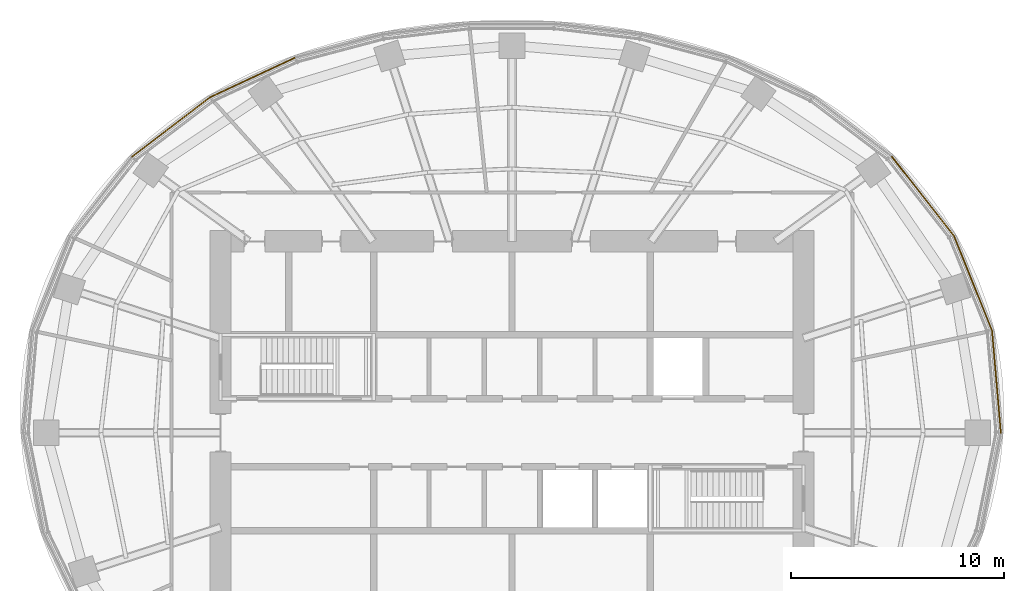
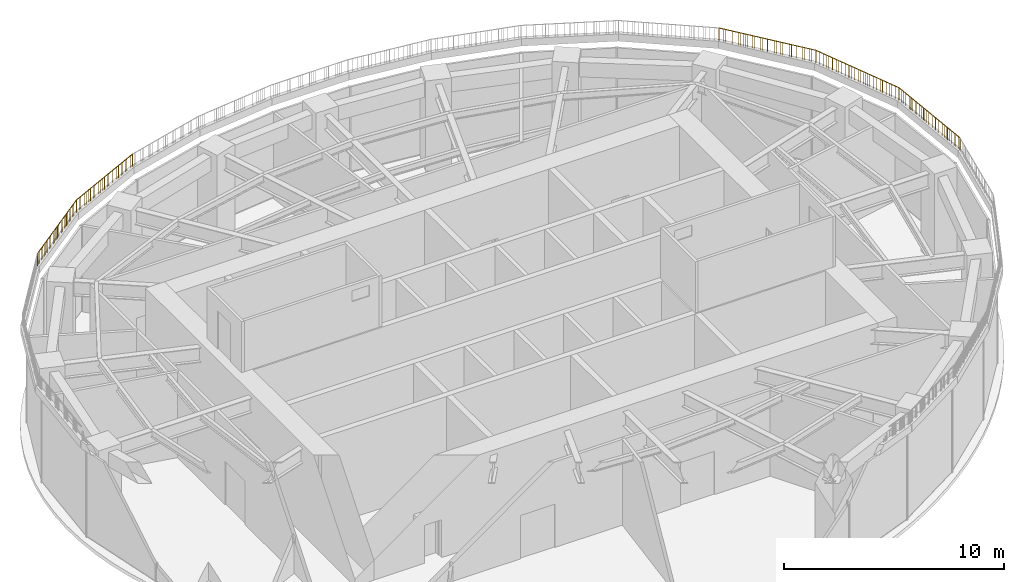
# One storey, part 17 of 19: 5 railings.
"""IFC4 building model written with IfcOpenShell, lengths in metres."""

from ifc_helpers import new_model, si_unit, direction, frame, origin, origin_2d, place, context, subcontext, project, spatial, circle, extrude, material, type_object, element, save


model = new_model("IFC4")

# Units and contexts
model_context = context("Model", 3, precision=1e-05, world=origin(), true_north=direction((0.0, 1.0)))
body_context = subcontext(model_context, "Body", "Model", "MODEL_VIEW")
ifc_project = project(units=[si_unit("LENGTHUNIT", "METRE"), si_unit("AREAUNIT", "SQUARE_METRE"), si_unit("VOLUMEUNIT", "CUBIC_METRE"), si_unit("PLANEANGLEUNIT", "RADIAN"), si_unit("MASSUNIT", "GRAM", prefix="KILO")], contexts=[model_context])

# Site, building, storey
site_placement = place(None, origin())
site = spatial("IfcSite", under=ifc_project, at=site_placement, CompositionType="ELEMENT")
building_placement = place(site_placement, origin())
building = spatial("IfcBuilding", under=site, at=building_placement, Name="Marramba Exchange Tower", CompositionType="ELEMENT")
storey_placement = place(building_placement, frame((0.0, 0.0, 277.0)))
storey = spatial("IfcBuildingStorey", under=building, at=storey_placement, Name="L67", CompositionType="ELEMENT", Elevation=277.0)

# Railings
ifc_material = material(Name="Galvanised steel guardrail", Category="steel")
railing_type = type_object("IfcRailingType", Name="Roof guardrail 1100", PredefinedType="GUARDRAIL", material=ifc_material)
railing_1_placement = place(storey_placement, frame((22.97998046875, 0.0, 5.39990234375)))
element("IfcRailing", 1, at=railing_1_placement, inside=storey, type_object=railing_type, Name="Roof guard Roof crown F01", PredefinedType="GUARDRAIL", context=body_context, shape_type="SweptSolid", body=[
    extrude(circle(Radius=0.02392578125, at=origin_2d()), frame((0.0, 0.0, 0.67578125), z_axis=(-0.085747752545, 0.996316878776, 0.0), x_axis=(-0.996316878776, -0.085747752545, 0.0)), (0.0, 0.0, 1.0), 4.814697265625),
    extrude(circle(Radius=0.02099609375, at=origin_2d()), origin(), (0.0, 0.0, 1.0), 0.65185546875),
    extrude(circle(Radius=0.02099609375, at=origin_2d()), frame((-0.08251953125, 0.95947265625, 0.0)), (0.0, 0.0, 1.0), 0.65185546875),
    extrude(circle(Radius=0.02099609375, at=origin_2d()), frame((-0.1650390625, 1.918701171875, 0.0)), (0.0, 0.0, 1.0), 0.65185546875),
    extrude(circle(Radius=0.02099609375, at=origin_2d()), frame((-0.247802734375, 2.878173828125, 0.0)), (0.0, 0.0, 1.0), 0.65185546875),
    extrude(circle(Radius=0.02099609375, at=origin_2d()), frame((-0.330322265625, 3.83740234375, 0.0)), (0.0, 0.0, 1.0), 0.65185546875),
    extrude(circle(Radius=0.02099609375, at=origin_2d()), frame((-0.412841796875, 4.796875, 0.0)), (0.0, 0.0, 1.0), 0.65185546875),
    extrude(circle(Radius=0.006103515625, at=origin_2d()), frame((-0.01025390625, 0.1181640625, 0.0)), (0.0, 0.0, 1.0), 0.65185546875),
    extrude(circle(Radius=0.006103515625, at=origin_2d()), frame((-0.01904296875, 0.221435546875, 0.0)), (0.0, 0.0, 1.0), 0.65185546875),
    extrude(circle(Radius=0.006103515625, at=origin_2d()), frame((-0.02783203125, 0.32470703125, 0.0)), (0.0, 0.0, 1.0), 0.65185546875),
    extrude(circle(Radius=0.006103515625, at=origin_2d()), frame((-0.036865234375, 0.427978515625, 0.0)), (0.0, 0.0, 1.0), 0.65185546875),
    extrude(circle(Radius=0.006103515625, at=origin_2d()), frame((-0.045654296875, 0.53125, 0.0)), (0.0, 0.0, 1.0), 0.65185546875),
    extrude(circle(Radius=0.006103515625, at=origin_2d()), frame((-0.0546875, 0.634521484375, 0.0)), (0.0, 0.0, 1.0), 0.65185546875),
    extrude(circle(Radius=0.006103515625, at=origin_2d()), frame((-0.0634765625, 0.73779296875, 0.0)), (0.0, 0.0, 1.0), 0.65185546875),
    extrude(circle(Radius=0.006103515625, at=origin_2d()), frame((-0.072509765625, 0.841064453125, 0.0)), (0.0, 0.0, 1.0), 0.65185546875),
    extrude(circle(Radius=0.006103515625, at=origin_2d()), frame((-0.0927734375, 1.07763671875, 0.0)), (0.0, 0.0, 1.0), 0.65185546875),
    extrude(circle(Radius=0.006103515625, at=origin_2d()), frame((-0.1015625, 1.180908203125, 0.0)), (0.0, 0.0, 1.0), 0.65185546875),
    extrude(circle(Radius=0.006103515625, at=origin_2d()), frame((-0.110595703125, 1.2841796875, 0.0)), (0.0, 0.0, 1.0), 0.65185546875),
    extrude(circle(Radius=0.006103515625, at=origin_2d()), frame((-0.119384765625, 1.387451171875, 0.0)), (0.0, 0.0, 1.0), 0.65185546875),
    extrude(circle(Radius=0.006103515625, at=origin_2d()), frame((-0.12841796875, 1.49072265625, 0.0)), (0.0, 0.0, 1.0), 0.65185546875),
    extrude(circle(Radius=0.006103515625, at=origin_2d()), frame((-0.13720703125, 1.593994140625, 0.0)), (0.0, 0.0, 1.0), 0.65185546875),
    extrude(circle(Radius=0.006103515625, at=origin_2d()), frame((-0.14599609375, 1.697265625, 0.0)), (0.0, 0.0, 1.0), 0.65185546875),
    extrude(circle(Radius=0.006103515625, at=origin_2d()), frame((-0.155029296875, 1.800537109375, 0.0)), (0.0, 0.0, 1.0), 0.65185546875),
    extrude(circle(Radius=0.006103515625, at=origin_2d()), frame((-0.17529296875, 2.036865234375, 0.0)), (0.0, 0.0, 1.0), 0.65185546875),
    extrude(circle(Radius=0.006103515625, at=origin_2d()), frame((-0.18408203125, 2.14013671875, 0.0)), (0.0, 0.0, 1.0), 0.65185546875),
    extrude(circle(Radius=0.006103515625, at=origin_2d()), frame((-0.193115234375, 2.243408203125, 0.0)), (0.0, 0.0, 1.0), 0.65185546875),
    extrude(circle(Radius=0.006103515625, at=origin_2d()), frame((-0.201904296875, 2.3466796875, 0.0)), (0.0, 0.0, 1.0), 0.65185546875),
    extrude(circle(Radius=0.006103515625, at=origin_2d()), frame((-0.2109375, 2.4501953125, 0.0)), (0.0, 0.0, 1.0), 0.65185546875),
    extrude(circle(Radius=0.006103515625, at=origin_2d()), frame((-0.2197265625, 2.553466796875, 0.0)), (0.0, 0.0, 1.0), 0.65185546875),
    extrude(circle(Radius=0.006103515625, at=origin_2d()), frame((-0.228759765625, 2.65673828125, 0.0)), (0.0, 0.0, 1.0), 0.65185546875),
    extrude(circle(Radius=0.006103515625, at=origin_2d()), frame((-0.237548828125, 2.760009765625, 0.0)), (0.0, 0.0, 1.0), 0.65185546875),
    extrude(circle(Radius=0.006103515625, at=origin_2d()), frame((-0.2578125, 2.996337890625, 0.0)), (0.0, 0.0, 1.0), 0.65185546875),
    extrude(circle(Radius=0.006103515625, at=origin_2d()), frame((-0.266845703125, 3.099609375, 0.0)), (0.0, 0.0, 1.0), 0.65185546875),
    extrude(circle(Radius=0.006103515625, at=origin_2d()), frame((-0.275634765625, 3.202880859375, 0.0)), (0.0, 0.0, 1.0), 0.65185546875),
    extrude(circle(Radius=0.006103515625, at=origin_2d()), frame((-0.284423828125, 3.30615234375, 0.0)), (0.0, 0.0, 1.0), 0.65185546875),
    extrude(circle(Radius=0.006103515625, at=origin_2d()), frame((-0.29345703125, 3.409423828125, 0.0)), (0.0, 0.0, 1.0), 0.65185546875),
    extrude(circle(Radius=0.006103515625, at=origin_2d()), frame((-0.30224609375, 3.5126953125, 0.0)), (0.0, 0.0, 1.0), 0.65185546875),
    extrude(circle(Radius=0.006103515625, at=origin_2d()), frame((-0.311279296875, 3.615966796875, 0.0)), (0.0, 0.0, 1.0), 0.65185546875),
    extrude(circle(Radius=0.006103515625, at=origin_2d()), frame((-0.320068359375, 3.71923828125, 0.0)), (0.0, 0.0, 1.0), 0.65185546875),
    extrude(circle(Radius=0.006103515625, at=origin_2d()), frame((-0.34033203125, 3.955810546875, 0.0)), (0.0, 0.0, 1.0), 0.65185546875),
    extrude(circle(Radius=0.006103515625, at=origin_2d()), frame((-0.349365234375, 4.05908203125, 0.0)), (0.0, 0.0, 1.0), 0.65185546875),
    extrude(circle(Radius=0.006103515625, at=origin_2d()), frame((-0.358154296875, 4.162353515625, 0.0)), (0.0, 0.0, 1.0), 0.65185546875),
    extrude(circle(Radius=0.006103515625, at=origin_2d()), frame((-0.3671875, 4.265625, 0.0)), (0.0, 0.0, 1.0), 0.65185546875),
    extrude(circle(Radius=0.006103515625, at=origin_2d()), frame((-0.3759765625, 4.368896484375, 0.0)), (0.0, 0.0, 1.0), 0.65185546875),
    extrude(circle(Radius=0.006103515625, at=origin_2d()), frame((-0.385009765625, 4.47216796875, 0.0)), (0.0, 0.0, 1.0), 0.65185546875),
    extrude(circle(Radius=0.006103515625, at=origin_2d()), frame((-0.393798828125, 4.575439453125, 0.0)), (0.0, 0.0, 1.0), 0.65185546875),
    extrude(circle(Radius=0.006103515625, at=origin_2d()), frame((-0.402587890625, 4.6787109375, 0.0)), (0.0, 0.0, 1.0), 0.65185546875),
])
railing_2_placement = place(storey_placement, frame((22.567138671875, 4.796875, 5.39990234375)))
element("IfcRailing", 2, at=railing_2_placement, inside=storey, type_object=railing_type, Name="Roof guard Roof crown F02", PredefinedType="GUARDRAIL", context=body_context, shape_type="SweptSolid", body=[
    extrude(circle(Radius=0.02392578125, at=origin_2d()), frame((0.0, 0.0, 0.67578125), z_axis=(-0.372363873994, 0.928086819939, 0.0), x_axis=(-0.928086819939, -0.372363873994, 0.0)), (0.0, 0.0, 1.0), 4.800048828125),
    extrude(circle(Radius=0.02099609375, at=origin_2d()), origin(), (0.0, 0.0, 1.0), 0.65185546875),
    extrude(circle(Radius=0.02099609375, at=origin_2d()), frame((-0.357421875, 0.890869140625, 0.0)), (0.0, 0.0, 1.0), 0.65185546875),
    extrude(circle(Radius=0.02099609375, at=origin_2d()), frame((-0.71484375, 1.781982421875, 0.0)), (0.0, 0.0, 1.0), 0.65185546875),
    extrude(circle(Radius=0.02099609375, at=origin_2d()), frame((-1.072509765625, 2.6728515625, 0.0)), (0.0, 0.0, 1.0), 0.65185546875),
    extrude(circle(Radius=0.02099609375, at=origin_2d()), frame((-1.429931640625, 3.56396484375, 0.0)), (0.0, 0.0, 1.0), 0.65185546875),
    extrude(circle(Radius=0.02099609375, at=origin_2d()), frame((-1.787353515625, 4.454833984375, 0.0)), (0.0, 0.0, 1.0), 0.65185546875),
    extrude(circle(Radius=0.006103515625, at=origin_2d()), frame((-0.0439453125, 0.10986328125, 0.0)), (0.0, 0.0, 1.0), 0.65185546875),
    extrude(circle(Radius=0.006103515625, at=origin_2d()), frame((-0.08251953125, 0.205810546875, 0.0)), (0.0, 0.0, 1.0), 0.65185546875),
    extrude(circle(Radius=0.006103515625, at=origin_2d()), frame((-0.12109375, 0.301513671875, 0.0)), (0.0, 0.0, 1.0), 0.65185546875),
    extrude(circle(Radius=0.006103515625, at=origin_2d()), frame((-0.159423828125, 0.3974609375, 0.0)), (0.0, 0.0, 1.0), 0.65185546875),
    extrude(circle(Radius=0.006103515625, at=origin_2d()), frame((-0.197998046875, 0.493408203125, 0.0)), (0.0, 0.0, 1.0), 0.65185546875),
    extrude(circle(Radius=0.006103515625, at=origin_2d()), frame((-0.236572265625, 0.58935546875, 0.0)), (0.0, 0.0, 1.0), 0.65185546875),
    extrude(circle(Radius=0.006103515625, at=origin_2d()), frame((-0.27490234375, 0.685302734375, 0.0)), (0.0, 0.0, 1.0), 0.65185546875),
    extrude(circle(Radius=0.006103515625, at=origin_2d()), frame((-0.3134765625, 0.78125, 0.0)), (0.0, 0.0, 1.0), 0.65185546875),
    extrude(circle(Radius=0.006103515625, at=origin_2d()), frame((-0.401611328125, 1.000732421875, 0.0)), (0.0, 0.0, 1.0), 0.65185546875),
    extrude(circle(Radius=0.006103515625, at=origin_2d()), frame((-0.43994140625, 1.0966796875, 0.0)), (0.0, 0.0, 1.0), 0.65185546875),
    extrude(circle(Radius=0.006103515625, at=origin_2d()), frame((-0.478515625, 1.192626953125, 0.0)), (0.0, 0.0, 1.0), 0.65185546875),
    extrude(circle(Radius=0.006103515625, at=origin_2d()), frame((-0.516845703125, 1.28857421875, 0.0)), (0.0, 0.0, 1.0), 0.65185546875),
    extrude(circle(Radius=0.006103515625, at=origin_2d()), frame((-0.555419921875, 1.384521484375, 0.0)), (0.0, 0.0, 1.0), 0.65185546875),
    extrude(circle(Radius=0.006103515625, at=origin_2d()), frame((-0.593994140625, 1.480224609375, 0.0)), (0.0, 0.0, 1.0), 0.65185546875),
    extrude(circle(Radius=0.006103515625, at=origin_2d()), frame((-0.63232421875, 1.576171875, 0.0)), (0.0, 0.0, 1.0), 0.65185546875),
    extrude(circle(Radius=0.006103515625, at=origin_2d()), frame((-0.6708984375, 1.672119140625, 0.0)), (0.0, 0.0, 1.0), 0.65185546875),
    extrude(circle(Radius=0.006103515625, at=origin_2d()), frame((-0.759033203125, 1.891845703125, 0.0)), (0.0, 0.0, 1.0), 0.65185546875),
    extrude(circle(Radius=0.006103515625, at=origin_2d()), frame((-0.79736328125, 1.987548828125, 0.0)), (0.0, 0.0, 1.0), 0.65185546875),
    extrude(circle(Radius=0.006103515625, at=origin_2d()), frame((-0.8359375, 2.08349609375, 0.0)), (0.0, 0.0, 1.0), 0.65185546875),
    extrude(circle(Radius=0.006103515625, at=origin_2d()), frame((-0.87451171875, 2.179443359375, 0.0)), (0.0, 0.0, 1.0), 0.65185546875),
    extrude(circle(Radius=0.006103515625, at=origin_2d()), frame((-0.912841796875, 2.275390625, 0.0)), (0.0, 0.0, 1.0), 0.65185546875),
    extrude(circle(Radius=0.006103515625, at=origin_2d()), frame((-0.951416015625, 2.371337890625, 0.0)), (0.0, 0.0, 1.0), 0.65185546875),
    extrude(circle(Radius=0.006103515625, at=origin_2d()), frame((-0.989990234375, 2.46728515625, 0.0)), (0.0, 0.0, 1.0), 0.65185546875),
    extrude(circle(Radius=0.006103515625, at=origin_2d()), frame((-1.0283203125, 2.56298828125, 0.0)), (0.0, 0.0, 1.0), 0.65185546875),
    extrude(circle(Radius=0.006103515625, at=origin_2d()), frame((-1.116455078125, 2.78271484375, 0.0)), (0.0, 0.0, 1.0), 0.65185546875),
    extrude(circle(Radius=0.006103515625, at=origin_2d()), frame((-1.155029296875, 2.878662109375, 0.0)), (0.0, 0.0, 1.0), 0.65185546875),
    extrude(circle(Radius=0.006103515625, at=origin_2d()), frame((-1.193359375, 2.974609375, 0.0)), (0.0, 0.0, 1.0), 0.65185546875),
    extrude(circle(Radius=0.006103515625, at=origin_2d()), frame((-1.23193359375, 3.0703125, 0.0)), (0.0, 0.0, 1.0), 0.65185546875),
    extrude(circle(Radius=0.006103515625, at=origin_2d()), frame((-1.2705078125, 3.166259765625, 0.0)), (0.0, 0.0, 1.0), 0.65185546875),
    extrude(circle(Radius=0.006103515625, at=origin_2d()), frame((-1.308837890625, 3.26220703125, 0.0)), (0.0, 0.0, 1.0), 0.65185546875),
    extrude(circle(Radius=0.006103515625, at=origin_2d()), frame((-1.347412109375, 3.358154296875, 0.0)), (0.0, 0.0, 1.0), 0.65185546875),
    extrude(circle(Radius=0.006103515625, at=origin_2d()), frame((-1.3857421875, 3.4541015625, 0.0)), (0.0, 0.0, 1.0), 0.65185546875),
    extrude(circle(Radius=0.006103515625, at=origin_2d()), frame((-1.473876953125, 3.673583984375, 0.0)), (0.0, 0.0, 1.0), 0.65185546875),
    extrude(circle(Radius=0.006103515625, at=origin_2d()), frame((-1.512451171875, 3.76953125, 0.0)), (0.0, 0.0, 1.0), 0.65185546875),
    extrude(circle(Radius=0.006103515625, at=origin_2d()), frame((-1.55078125, 3.865478515625, 0.0)), (0.0, 0.0, 1.0), 0.65185546875),
    extrude(circle(Radius=0.006103515625, at=origin_2d()), frame((-1.58935546875, 3.96142578125, 0.0)), (0.0, 0.0, 1.0), 0.65185546875),
    extrude(circle(Radius=0.006103515625, at=origin_2d()), frame((-1.6279296875, 4.057373046875, 0.0)), (0.0, 0.0, 1.0), 0.65185546875),
    extrude(circle(Radius=0.006103515625, at=origin_2d()), frame((-1.666259765625, 4.1533203125, 0.0)), (0.0, 0.0, 1.0), 0.65185546875),
    extrude(circle(Radius=0.006103515625, at=origin_2d()), frame((-1.704833984375, 4.2490234375, 0.0)), (0.0, 0.0, 1.0), 0.65185546875),
    extrude(circle(Radius=0.006103515625, at=origin_2d()), frame((-1.743408203125, 4.344970703125, 0.0)), (0.0, 0.0, 1.0), 0.65185546875),
])
railing_3_placement = place(storey_placement, frame((20.77978515625, 9.251708984375, 5.39990234375)))
element("IfcRailing", 3, at=railing_3_placement, inside=storey, type_object=railing_type, Name="Roof guard Roof crown F03", PredefinedType="GUARDRAIL", context=body_context, shape_type="SweptSolid", body=[
    extrude(circle(Radius=0.02392578125, at=origin_2d()), frame((0.0, 0.0, 0.67578125), z_axis=(-0.617103610012, 0.78688190633, 0.0), x_axis=(-0.78688190633, -0.617103610012, 0.0)), (0.0, 0.0, 1.0), 4.732421875),
    extrude(circle(Radius=0.02099609375, at=origin_2d()), origin(), (0.0, 0.0, 1.0), 0.65185546875),
    extrude(circle(Radius=0.02099609375, at=origin_2d()), frame((-0.72998046875, 0.930908203125, 0.0)), (0.0, 0.0, 1.0), 0.65185546875),
    extrude(circle(Radius=0.02099609375, at=origin_2d()), frame((-1.460205078125, 1.86181640625, 0.0)), (0.0, 0.0, 1.0), 0.65185546875),
    extrude(circle(Radius=0.02099609375, at=origin_2d()), frame((-2.1904296875, 2.79296875, 0.0)), (0.0, 0.0, 1.0), 0.65185546875),
    extrude(circle(Radius=0.02099609375, at=origin_2d()), frame((-2.92041015625, 3.723876953125, 0.0)), (0.0, 0.0, 1.0), 0.65185546875),
    extrude(circle(Radius=0.006103515625, at=origin_2d()), frame((-0.073974609375, 0.09423828125, 0.0)), (0.0, 0.0, 1.0), 0.65185546875),
    extrude(circle(Radius=0.006103515625, at=origin_2d()), frame((-0.138671875, 0.1767578125, 0.0)), (0.0, 0.0, 1.0), 0.65185546875),
    extrude(circle(Radius=0.006103515625, at=origin_2d()), frame((-0.203369140625, 0.25927734375, 0.0)), (0.0, 0.0, 1.0), 0.65185546875),
    extrude(circle(Radius=0.006103515625, at=origin_2d()), frame((-0.26806640625, 0.341796875, 0.0)), (0.0, 0.0, 1.0), 0.65185546875),
    extrude(circle(Radius=0.006103515625, at=origin_2d()), frame((-0.332763671875, 0.42431640625, 0.0)), (0.0, 0.0, 1.0), 0.65185546875),
    extrude(circle(Radius=0.006103515625, at=origin_2d()), frame((-0.3974609375, 0.5068359375, 0.0)), (0.0, 0.0, 1.0), 0.65185546875),
    extrude(circle(Radius=0.006103515625, at=origin_2d()), frame((-0.462158203125, 0.589111328125, 0.0)), (0.0, 0.0, 1.0), 0.65185546875),
    extrude(circle(Radius=0.006103515625, at=origin_2d()), frame((-0.52685546875, 0.671630859375, 0.0)), (0.0, 0.0, 1.0), 0.65185546875),
    extrude(circle(Radius=0.006103515625, at=origin_2d()), frame((-0.591552734375, 0.754150390625, 0.0)), (0.0, 0.0, 1.0), 0.65185546875),
    extrude(circle(Radius=0.006103515625, at=origin_2d()), frame((-0.65625, 0.836669921875, 0.0)), (0.0, 0.0, 1.0), 0.65185546875),
    extrude(circle(Radius=0.006103515625, at=origin_2d()), frame((-0.803955078125, 1.025146484375, 0.0)), (0.0, 0.0, 1.0), 0.65185546875),
    extrude(circle(Radius=0.006103515625, at=origin_2d()), frame((-0.86865234375, 1.107666015625, 0.0)), (0.0, 0.0, 1.0), 0.65185546875),
    extrude(circle(Radius=0.006103515625, at=origin_2d()), frame((-0.933349609375, 1.190185546875, 0.0)), (0.0, 0.0, 1.0), 0.65185546875),
    extrude(circle(Radius=0.006103515625, at=origin_2d()), frame((-0.998046875, 1.272705078125, 0.0)), (0.0, 0.0, 1.0), 0.65185546875),
    extrude(circle(Radius=0.006103515625, at=origin_2d()), frame((-1.062744140625, 1.355224609375, 0.0)), (0.0, 0.0, 1.0), 0.65185546875),
    extrude(circle(Radius=0.006103515625, at=origin_2d()), frame((-1.12744140625, 1.437744140625, 0.0)), (0.0, 0.0, 1.0), 0.65185546875),
    extrude(circle(Radius=0.006103515625, at=origin_2d()), frame((-1.192138671875, 1.520263671875, 0.0)), (0.0, 0.0, 1.0), 0.65185546875),
    extrude(circle(Radius=0.006103515625, at=origin_2d()), frame((-1.2568359375, 1.602783203125, 0.0)), (0.0, 0.0, 1.0), 0.65185546875),
    extrude(circle(Radius=0.006103515625, at=origin_2d()), frame((-1.321533203125, 1.68505859375, 0.0)), (0.0, 0.0, 1.0), 0.65185546875),
    extrude(circle(Radius=0.006103515625, at=origin_2d()), frame((-1.38623046875, 1.767578125, 0.0)), (0.0, 0.0, 1.0), 0.65185546875),
    extrude(circle(Radius=0.006103515625, at=origin_2d()), frame((-1.5341796875, 1.956298828125, 0.0)), (0.0, 0.0, 1.0), 0.65185546875),
    extrude(circle(Radius=0.006103515625, at=origin_2d()), frame((-1.598876953125, 2.038818359375, 0.0)), (0.0, 0.0, 1.0), 0.65185546875),
    extrude(circle(Radius=0.006103515625, at=origin_2d()), frame((-1.66357421875, 2.12109375, 0.0)), (0.0, 0.0, 1.0), 0.65185546875),
    extrude(circle(Radius=0.006103515625, at=origin_2d()), frame((-1.728271484375, 2.20361328125, 0.0)), (0.0, 0.0, 1.0), 0.65185546875),
    extrude(circle(Radius=0.006103515625, at=origin_2d()), frame((-1.79296875, 2.2861328125, 0.0)), (0.0, 0.0, 1.0), 0.65185546875),
    extrude(circle(Radius=0.006103515625, at=origin_2d()), frame((-1.857666015625, 2.36865234375, 0.0)), (0.0, 0.0, 1.0), 0.65185546875),
    extrude(circle(Radius=0.006103515625, at=origin_2d()), frame((-1.92236328125, 2.451171875, 0.0)), (0.0, 0.0, 1.0), 0.65185546875),
    extrude(circle(Radius=0.006103515625, at=origin_2d()), frame((-1.987060546875, 2.53369140625, 0.0)), (0.0, 0.0, 1.0), 0.65185546875),
    extrude(circle(Radius=0.006103515625, at=origin_2d()), frame((-2.0517578125, 2.6162109375, 0.0)), (0.0, 0.0, 1.0), 0.65185546875),
    extrude(circle(Radius=0.006103515625, at=origin_2d()), frame((-2.116455078125, 2.69873046875, 0.0)), (0.0, 0.0, 1.0), 0.65185546875),
    extrude(circle(Radius=0.006103515625, at=origin_2d()), frame((-2.26416015625, 2.88720703125, 0.0)), (0.0, 0.0, 1.0), 0.65185546875),
    extrude(circle(Radius=0.006103515625, at=origin_2d()), frame((-2.328857421875, 2.9697265625, 0.0)), (0.0, 0.0, 1.0), 0.65185546875),
    extrude(circle(Radius=0.006103515625, at=origin_2d()), frame((-2.3935546875, 3.05224609375, 0.0)), (0.0, 0.0, 1.0), 0.65185546875),
    extrude(circle(Radius=0.006103515625, at=origin_2d()), frame((-2.458251953125, 3.134765625, 0.0)), (0.0, 0.0, 1.0), 0.65185546875),
    extrude(circle(Radius=0.006103515625, at=origin_2d()), frame((-2.52294921875, 3.217041015625, 0.0)), (0.0, 0.0, 1.0), 0.65185546875),
    extrude(circle(Radius=0.006103515625, at=origin_2d()), frame((-2.587646484375, 3.299560546875, 0.0)), (0.0, 0.0, 1.0), 0.65185546875),
    extrude(circle(Radius=0.006103515625, at=origin_2d()), frame((-2.65234375, 3.382080078125, 0.0)), (0.0, 0.0, 1.0), 0.65185546875),
    extrude(circle(Radius=0.006103515625, at=origin_2d()), frame((-2.717041015625, 3.464599609375, 0.0)), (0.0, 0.0, 1.0), 0.65185546875),
    extrude(circle(Radius=0.006103515625, at=origin_2d()), frame((-2.78173828125, 3.547119140625, 0.0)), (0.0, 0.0, 1.0), 0.65185546875),
    extrude(circle(Radius=0.006103515625, at=origin_2d()), frame((-2.846435546875, 3.629638671875, 0.0)), (0.0, 0.0, 1.0), 0.65185546875),
])
railing_4_placement = place(storey_placement, frame((-10.185546875, 17.64208984375, 5.39990234375)))
element("IfcRailing", 4, at=railing_4_placement, inside=storey, type_object=railing_type, Name="Roof guard Roof crown F11", PredefinedType="GUARDRAIL", context=body_context, shape_type="SweptSolid", body=[
    extrude(circle(Radius=0.02392578125, at=origin_2d()), frame((0.0, 0.0, 0.67578125), z_axis=(-0.906246502857, -0.422749661217, 0.0), x_axis=(0.422749661217, -0.906246502857, 0.0)), (0.0, 0.0, 1.0), 4.428955078125),
    extrude(circle(Radius=0.02099609375, at=origin_2d()), origin(), (0.0, 0.0, 1.0), 0.65185546875),
    extrude(circle(Radius=0.02099609375, at=origin_2d()), frame((-1.00341796875, -0.468017578125, 0.0)), (0.0, 0.0, 1.0), 0.65185546875),
    extrude(circle(Radius=0.02099609375, at=origin_2d()), frame((-2.0068359375, -0.93603515625, 0.0)), (0.0, 0.0, 1.0), 0.65185546875),
    extrude(circle(Radius=0.02099609375, at=origin_2d()), frame((-3.01025390625, -1.404296875, 0.0)), (0.0, 0.0, 1.0), 0.65185546875),
    extrude(circle(Radius=0.02099609375, at=origin_2d()), frame((-4.013671875, -1.872314453125, 0.0)), (0.0, 0.0, 1.0), 0.65185546875),
    extrude(circle(Radius=0.006103515625, at=origin_2d()), frame((-0.111328125, -0.0517578125, 0.0)), (0.0, 0.0, 1.0), 0.65185546875),
    extrude(circle(Radius=0.006103515625, at=origin_2d()), frame((-0.208740234375, -0.097412109375, 0.0)), (0.0, 0.0, 1.0), 0.65185546875),
    extrude(circle(Radius=0.006103515625, at=origin_2d()), frame((-0.306396484375, -0.14306640625, 0.0)), (0.0, 0.0, 1.0), 0.65185546875),
    extrude(circle(Radius=0.006103515625, at=origin_2d()), frame((-0.404052734375, -0.1884765625, 0.0)), (0.0, 0.0, 1.0), 0.65185546875),
    extrude(circle(Radius=0.006103515625, at=origin_2d()), frame((-0.501708984375, -0.234130859375, 0.0)), (0.0, 0.0, 1.0), 0.65185546875),
    extrude(circle(Radius=0.006103515625, at=origin_2d()), frame((-0.599365234375, -0.279541015625, 0.0)), (0.0, 0.0, 1.0), 0.65185546875),
    extrude(circle(Radius=0.006103515625, at=origin_2d()), frame((-0.697021484375, -0.3251953125, 0.0)), (0.0, 0.0, 1.0), 0.65185546875),
    extrude(circle(Radius=0.006103515625, at=origin_2d()), frame((-0.794677734375, -0.37060546875, 0.0)), (0.0, 0.0, 1.0), 0.65185546875),
    extrude(circle(Radius=0.006103515625, at=origin_2d()), frame((-0.89208984375, -0.416259765625, 0.0)), (0.0, 0.0, 1.0), 0.65185546875),
    extrude(circle(Radius=0.006103515625, at=origin_2d()), frame((-1.11474609375, -0.52001953125, 0.0)), (0.0, 0.0, 1.0), 0.65185546875),
    extrude(circle(Radius=0.006103515625, at=origin_2d()), frame((-1.212158203125, -0.5654296875, 0.0)), (0.0, 0.0, 1.0), 0.65185546875),
    extrude(circle(Radius=0.006103515625, at=origin_2d()), frame((-1.309814453125, -0.611083984375, 0.0)), (0.0, 0.0, 1.0), 0.65185546875),
    extrude(circle(Radius=0.006103515625, at=origin_2d()), frame((-1.407470703125, -0.656494140625, 0.0)), (0.0, 0.0, 1.0), 0.65185546875),
    extrude(circle(Radius=0.006103515625, at=origin_2d()), frame((-1.505126953125, -0.7021484375, 0.0)), (0.0, 0.0, 1.0), 0.65185546875),
    extrude(circle(Radius=0.006103515625, at=origin_2d()), frame((-1.602783203125, -0.74755859375, 0.0)), (0.0, 0.0, 1.0), 0.65185546875),
    extrude(circle(Radius=0.006103515625, at=origin_2d()), frame((-1.700439453125, -0.793212890625, 0.0)), (0.0, 0.0, 1.0), 0.65185546875),
    extrude(circle(Radius=0.006103515625, at=origin_2d()), frame((-1.798095703125, -0.838623046875, 0.0)), (0.0, 0.0, 1.0), 0.65185546875),
    extrude(circle(Radius=0.006103515625, at=origin_2d()), frame((-1.8955078125, -0.88427734375, 0.0)), (0.0, 0.0, 1.0), 0.65185546875),
    extrude(circle(Radius=0.006103515625, at=origin_2d()), frame((-2.1181640625, -0.988037109375, 0.0)), (0.0, 0.0, 1.0), 0.65185546875),
    extrude(circle(Radius=0.006103515625, at=origin_2d()), frame((-2.215576171875, -1.03369140625, 0.0)), (0.0, 0.0, 1.0), 0.65185546875),
    extrude(circle(Radius=0.006103515625, at=origin_2d()), frame((-2.313232421875, -1.0791015625, 0.0)), (0.0, 0.0, 1.0), 0.65185546875),
    extrude(circle(Radius=0.006103515625, at=origin_2d()), frame((-2.410888671875, -1.124755859375, 0.0)), (0.0, 0.0, 1.0), 0.65185546875),
    extrude(circle(Radius=0.006103515625, at=origin_2d()), frame((-2.508544921875, -1.170166015625, 0.0)), (0.0, 0.0, 1.0), 0.65185546875),
    extrude(circle(Radius=0.006103515625, at=origin_2d()), frame((-2.606201171875, -1.2158203125, 0.0)), (0.0, 0.0, 1.0), 0.65185546875),
    extrude(circle(Radius=0.006103515625, at=origin_2d()), frame((-2.703857421875, -1.26123046875, 0.0)), (0.0, 0.0, 1.0), 0.65185546875),
    extrude(circle(Radius=0.006103515625, at=origin_2d()), frame((-2.801513671875, -1.306884765625, 0.0)), (0.0, 0.0, 1.0), 0.65185546875),
    extrude(circle(Radius=0.006103515625, at=origin_2d()), frame((-2.89892578125, -1.352294921875, 0.0)), (0.0, 0.0, 1.0), 0.65185546875),
    extrude(circle(Radius=0.006103515625, at=origin_2d()), frame((-3.12158203125, -1.4560546875, 0.0)), (0.0, 0.0, 1.0), 0.65185546875),
    extrude(circle(Radius=0.006103515625, at=origin_2d()), frame((-3.218994140625, -1.501708984375, 0.0)), (0.0, 0.0, 1.0), 0.65185546875),
    extrude(circle(Radius=0.006103515625, at=origin_2d()), frame((-3.316650390625, -1.547119140625, 0.0)), (0.0, 0.0, 1.0), 0.65185546875),
    extrude(circle(Radius=0.006103515625, at=origin_2d()), frame((-3.414306640625, -1.5927734375, 0.0)), (0.0, 0.0, 1.0), 0.65185546875),
    extrude(circle(Radius=0.006103515625, at=origin_2d()), frame((-3.511962890625, -1.63818359375, 0.0)), (0.0, 0.0, 1.0), 0.65185546875),
    extrude(circle(Radius=0.006103515625, at=origin_2d()), frame((-3.609619140625, -1.683837890625, 0.0)), (0.0, 0.0, 1.0), 0.65185546875),
    extrude(circle(Radius=0.006103515625, at=origin_2d()), frame((-3.707275390625, -1.729248046875, 0.0)), (0.0, 0.0, 1.0), 0.65185546875),
    extrude(circle(Radius=0.006103515625, at=origin_2d()), frame((-3.804931640625, -1.77490234375, 0.0)), (0.0, 0.0, 1.0), 0.65185546875),
    extrude(circle(Radius=0.006103515625, at=origin_2d()), frame((-3.90234375, -1.820556640625, 0.0)), (0.0, 0.0, 1.0), 0.65185546875),
])
railing_5_placement = place(storey_placement, frame((-14.19921875, 15.769775390625, 5.39990234375)))
element("IfcRailing", 5, at=railing_5_placement, inside=storey, type_object=railing_type, Name="Roof guard Roof crown F12", PredefinedType="GUARDRAIL", context=body_context, shape_type="SweptSolid", body=[
    extrude(circle(Radius=0.02392578125, at=origin_2d()), frame((0.0, 0.0, 0.67578125), z_axis=(-0.794855686591, -0.606798514743, 0.0), x_axis=(0.606798514743, -0.794855686591, 0.0)), (0.0, 0.0, 1.0), 4.604736328125),
    extrude(circle(Radius=0.02099609375, at=origin_2d()), origin(), (0.0, 0.0, 1.0), 0.65185546875),
    extrude(circle(Radius=0.02099609375, at=origin_2d()), frame((-0.9150390625, -0.698486328125, 0.0)), (0.0, 0.0, 1.0), 0.65185546875),
    extrude(circle(Radius=0.02099609375, at=origin_2d()), frame((-1.830078125, -1.39697265625, 0.0)), (0.0, 0.0, 1.0), 0.65185546875),
    extrude(circle(Radius=0.02099609375, at=origin_2d()), frame((-2.7451171875, -2.095703125, 0.0)), (0.0, 0.0, 1.0), 0.65185546875),
    extrude(circle(Radius=0.02099609375, at=origin_2d()), frame((-3.66015625, -2.794189453125, 0.0)), (0.0, 0.0, 1.0), 0.65185546875),
    extrude(circle(Radius=0.006103515625, at=origin_2d()), frame((-0.093017578125, -0.071044921875, 0.0)), (0.0, 0.0, 1.0), 0.65185546875),
    extrude(circle(Radius=0.006103515625, at=origin_2d()), frame((-0.174072265625, -0.1328125, 0.0)), (0.0, 0.0, 1.0), 0.65185546875),
    extrude(circle(Radius=0.006103515625, at=origin_2d()), frame((-0.2548828125, -0.194580078125, 0.0)), (0.0, 0.0, 1.0), 0.65185546875),
    extrude(circle(Radius=0.006103515625, at=origin_2d()), frame((-0.3359375, -0.256591796875, 0.0)), (0.0, 0.0, 1.0), 0.65185546875),
    extrude(circle(Radius=0.006103515625, at=origin_2d()), frame((-0.4169921875, -0.318359375, 0.0)), (0.0, 0.0, 1.0), 0.65185546875),
    extrude(circle(Radius=0.006103515625, at=origin_2d()), frame((-0.498046875, -0.380126953125, 0.0)), (0.0, 0.0, 1.0), 0.65185546875),
    extrude(circle(Radius=0.006103515625, at=origin_2d()), frame((-0.5791015625, -0.442138671875, 0.0)), (0.0, 0.0, 1.0), 0.65185546875),
    extrude(circle(Radius=0.006103515625, at=origin_2d()), frame((-0.66015625, -0.50390625, 0.0)), (0.0, 0.0, 1.0), 0.65185546875),
    extrude(circle(Radius=0.006103515625, at=origin_2d()), frame((-0.740966796875, -0.565673828125, 0.0)), (0.0, 0.0, 1.0), 0.65185546875),
    extrude(circle(Radius=0.006103515625, at=origin_2d()), frame((-0.822021484375, -0.627685546875, 0.0)), (0.0, 0.0, 1.0), 0.65185546875),
    extrude(circle(Radius=0.006103515625, at=origin_2d()), frame((-1.008056640625, -0.76953125, 0.0)), (0.0, 0.0, 1.0), 0.65185546875),
    extrude(circle(Radius=0.006103515625, at=origin_2d()), frame((-1.089111328125, -0.831298828125, 0.0)), (0.0, 0.0, 1.0), 0.65185546875),
    extrude(circle(Radius=0.006103515625, at=origin_2d()), frame((-1.169921875, -0.893310546875, 0.0)), (0.0, 0.0, 1.0), 0.65185546875),
    extrude(circle(Radius=0.006103515625, at=origin_2d()), frame((-1.2509765625, -0.955078125, 0.0)), (0.0, 0.0, 1.0), 0.65185546875),
    extrude(circle(Radius=0.006103515625, at=origin_2d()), frame((-1.33203125, -1.016845703125, 0.0)), (0.0, 0.0, 1.0), 0.65185546875),
    extrude(circle(Radius=0.006103515625, at=origin_2d()), frame((-1.4130859375, -1.078857421875, 0.0)), (0.0, 0.0, 1.0), 0.65185546875),
    extrude(circle(Radius=0.006103515625, at=origin_2d()), frame((-1.494140625, -1.140625, 0.0)), (0.0, 0.0, 1.0), 0.65185546875),
    extrude(circle(Radius=0.006103515625, at=origin_2d()), frame((-1.5751953125, -1.202392578125, 0.0)), (0.0, 0.0, 1.0), 0.65185546875),
    extrude(circle(Radius=0.006103515625, at=origin_2d()), frame((-1.656005859375, -1.264404296875, 0.0)), (0.0, 0.0, 1.0), 0.65185546875),
    extrude(circle(Radius=0.006103515625, at=origin_2d()), frame((-1.737060546875, -1.326171875, 0.0)), (0.0, 0.0, 1.0), 0.65185546875),
    extrude(circle(Radius=0.006103515625, at=origin_2d()), frame((-1.923095703125, -1.468017578125, 0.0)), (0.0, 0.0, 1.0), 0.65185546875),
    extrude(circle(Radius=0.006103515625, at=origin_2d()), frame((-2.004150390625, -1.52978515625, 0.0)), (0.0, 0.0, 1.0), 0.65185546875),
    extrude(circle(Radius=0.006103515625, at=origin_2d()), frame((-2.0849609375, -1.591796875, 0.0)), (0.0, 0.0, 1.0), 0.65185546875),
    extrude(circle(Radius=0.006103515625, at=origin_2d()), frame((-2.166015625, -1.653564453125, 0.0)), (0.0, 0.0, 1.0), 0.65185546875),
    extrude(circle(Radius=0.006103515625, at=origin_2d()), frame((-2.2470703125, -1.71533203125, 0.0)), (0.0, 0.0, 1.0), 0.65185546875),
    extrude(circle(Radius=0.006103515625, at=origin_2d()), frame((-2.328125, -1.77734375, 0.0)), (0.0, 0.0, 1.0), 0.65185546875),
    extrude(circle(Radius=0.006103515625, at=origin_2d()), frame((-2.4091796875, -1.839111328125, 0.0)), (0.0, 0.0, 1.0), 0.65185546875),
    extrude(circle(Radius=0.006103515625, at=origin_2d()), frame((-2.490234375, -1.90087890625, 0.0)), (0.0, 0.0, 1.0), 0.65185546875),
    extrude(circle(Radius=0.006103515625, at=origin_2d()), frame((-2.571044921875, -1.962890625, 0.0)), (0.0, 0.0, 1.0), 0.65185546875),
    extrude(circle(Radius=0.006103515625, at=origin_2d()), frame((-2.652099609375, -2.024658203125, 0.0)), (0.0, 0.0, 1.0), 0.65185546875),
    extrude(circle(Radius=0.006103515625, at=origin_2d()), frame((-2.838134765625, -2.16650390625, 0.0)), (0.0, 0.0, 1.0), 0.65185546875),
    extrude(circle(Radius=0.006103515625, at=origin_2d()), frame((-2.919189453125, -2.228515625, 0.0)), (0.0, 0.0, 1.0), 0.65185546875),
    extrude(circle(Radius=0.006103515625, at=origin_2d()), frame((-3.0, -2.290283203125, 0.0)), (0.0, 0.0, 1.0), 0.65185546875),
    extrude(circle(Radius=0.006103515625, at=origin_2d()), frame((-3.0810546875, -2.35205078125, 0.0)), (0.0, 0.0, 1.0), 0.65185546875),
    extrude(circle(Radius=0.006103515625, at=origin_2d()), frame((-3.162109375, -2.4140625, 0.0)), (0.0, 0.0, 1.0), 0.65185546875),
    extrude(circle(Radius=0.006103515625, at=origin_2d()), frame((-3.2431640625, -2.475830078125, 0.0)), (0.0, 0.0, 1.0), 0.65185546875),
    extrude(circle(Radius=0.006103515625, at=origin_2d()), frame((-3.32421875, -2.53759765625, 0.0)), (0.0, 0.0, 1.0), 0.65185546875),
    extrude(circle(Radius=0.006103515625, at=origin_2d()), frame((-3.4052734375, -2.599609375, 0.0)), (0.0, 0.0, 1.0), 0.65185546875),
    extrude(circle(Radius=0.006103515625, at=origin_2d()), frame((-3.486083984375, -2.661376953125, 0.0)), (0.0, 0.0, 1.0), 0.65185546875),
    extrude(circle(Radius=0.006103515625, at=origin_2d()), frame((-3.567138671875, -2.72314453125, 0.0)), (0.0, 0.0, 1.0), 0.65185546875),
])

save(model, "model.ifc")
